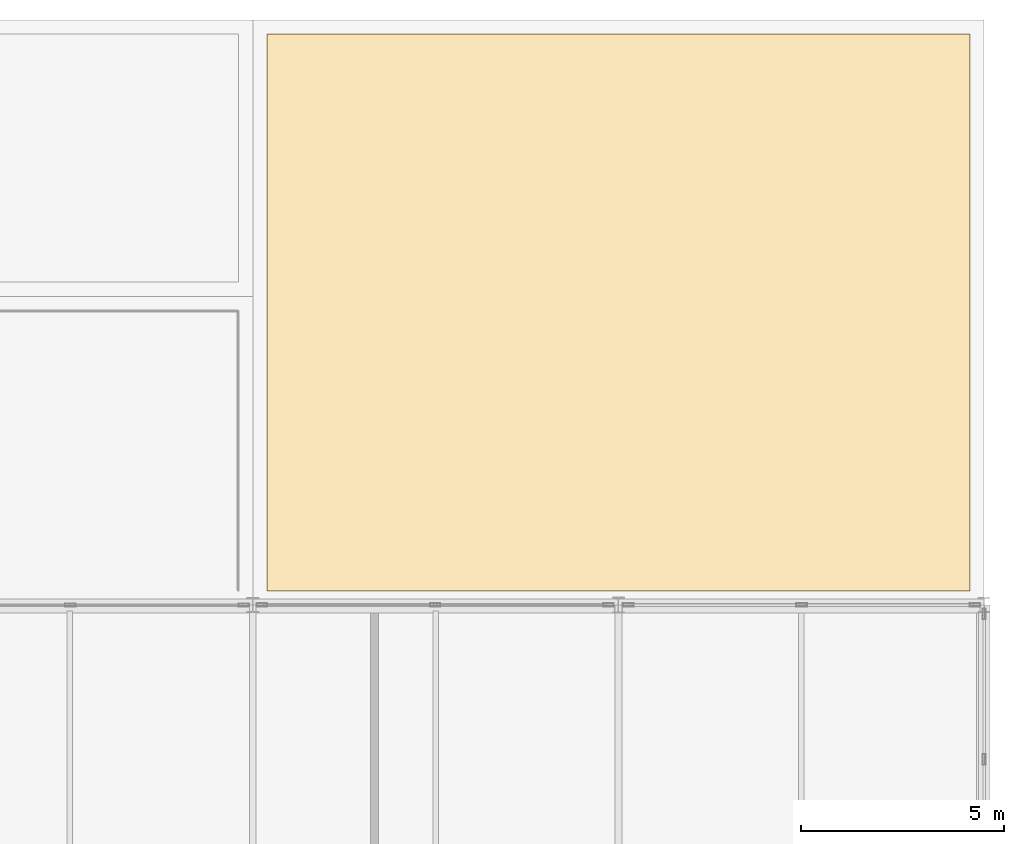
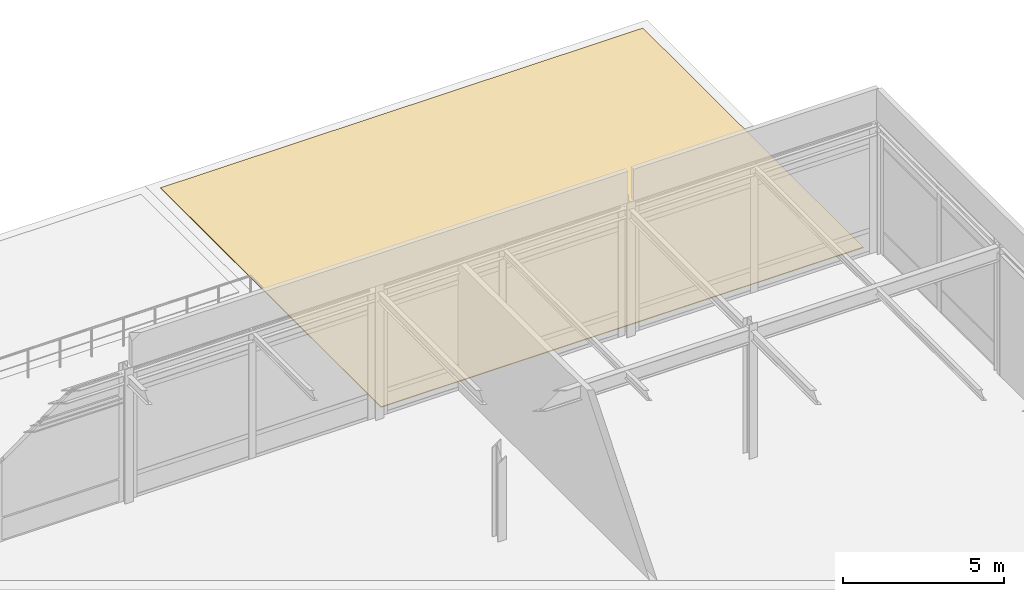
# One storey, part 79 of 79: 1 covering.
"""IFC4 building model written with IfcOpenShell, lengths in metres."""

from ifc_helpers import new_model, si_unit, direction, frame, origin, place, context, subcontext, project, spatial, polyline, outline, extrude, material, layer, layer_set, type_object, element, save


model = new_model("IFC4")

# Units and contexts
model_context = context("Model", 3, precision=1e-05, world=origin(), true_north=direction((0.0, 1.0)))
body_context = subcontext(model_context, "Body", "Model", "MODEL_VIEW")
ifc_project = project(units=[si_unit("LENGTHUNIT", "METRE"), si_unit("AREAUNIT", "SQUARE_METRE"), si_unit("VOLUMEUNIT", "CUBIC_METRE"), si_unit("PLANEANGLEUNIT", "RADIAN"), si_unit("MASSUNIT", "GRAM", prefix="KILO")], contexts=[model_context])

# Site, building, storey
site_placement = place(None, origin())
site = spatial("IfcSite", under=ifc_project, at=site_placement, CompositionType="ELEMENT")
building_placement = place(site_placement, origin())
building = spatial("IfcBuilding", under=site, at=building_placement, Name="Shalkamar Park Central Library", CompositionType="ELEMENT")
storey_placement = place(building_placement, frame((0.0, 0.0, 10.5)))
storey = spatial("IfcBuildingStorey", under=building, at=storey_placement, Name="L03", CompositionType="ELEMENT", Elevation=10.5)

# Covering
ifc_material = material(Name="SBS modified bitumen roofing membrane", Category="other")
ifc_layer = layer(ifc_material, 0.030029296875)
ifc_layer_set = layer_set([ifc_layer], Name="ColdClimateRoofMembrane")
covering_type = type_object("IfcCoveringType", Name="Cold Climate Roof Membrane", PredefinedType="ROOFING", material=ifc_layer_set)
covering_placement = place(storey_placement, origin())
element("IfcCovering", 1, at=covering_placement, inside=storey, type_object=covering_type, Name="SBS Roof Waterproofing Membrane RF-L02-NE", PredefinedType="ROOFING", context=body_context, shape_type="SweptSolid", body=[
    extrude(outline(polyline([(255.35009765625, 323.949951171875), (272.64990234375, 323.949951171875), (272.64990234375, 337.64990234375), (255.35009765625, 337.64990234375), (255.35009765625, 323.949951171875)])), origin(), (0.0, 0.0, 1.0), 0.030029296875),
])

save(model, "model.ifc")
